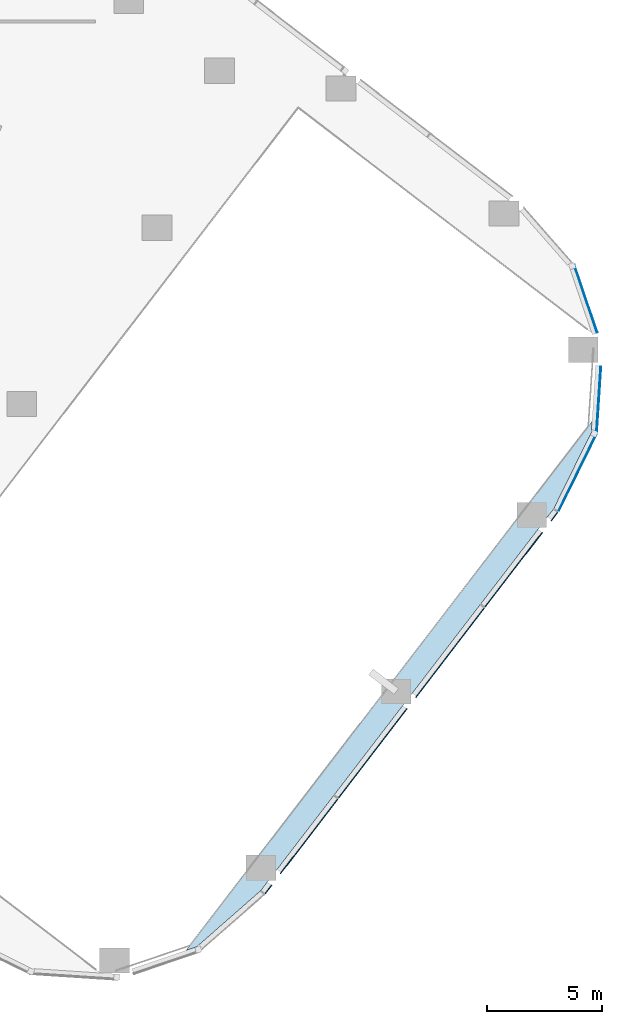
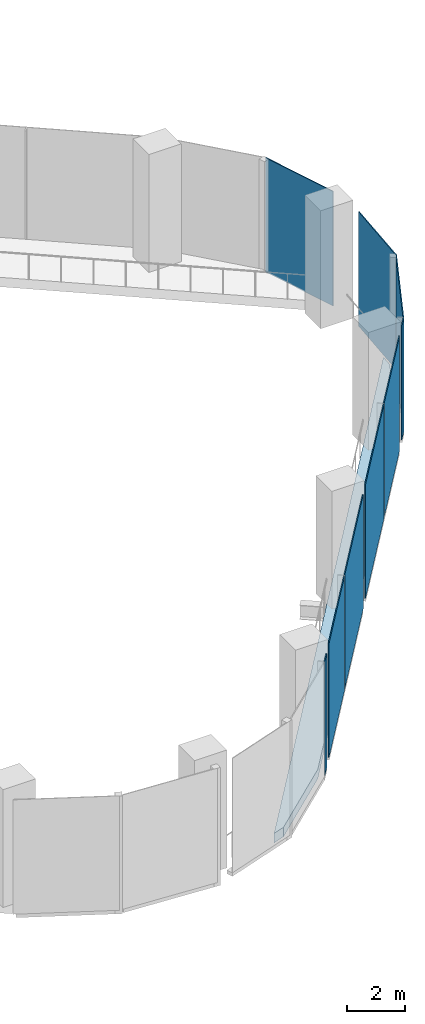
# One storey, part 18 of 29: 9 plates, 1 slab, 4 elements without a shape of their own.
"""IFC4 building model written with IfcOpenShell, lengths in metres."""

from ifc_helpers import new_model, si_unit, direction, frame, origin, origin_2d, place, context, subcontext, project, spatial, polyline, rectangle, outline, extrude, material, layer, layer_set, type_object, element, aggregate, save


model = new_model("IFC4")

# Units and contexts
model_context = context("Model", 3, precision=1e-05, world=origin(), true_north=direction((0.0, 1.0)))
body_context = subcontext(model_context, "Body", "Model", "MODEL_VIEW")
ifc_project = project(units=[si_unit("LENGTHUNIT", "METRE"), si_unit("AREAUNIT", "SQUARE_METRE"), si_unit("VOLUMEUNIT", "CUBIC_METRE"), si_unit("PLANEANGLEUNIT", "RADIAN"), si_unit("MASSUNIT", "GRAM", prefix="KILO")], contexts=[model_context])

# Site, building, storey
site_placement = place(None, origin())
site = spatial("IfcSite", under=ifc_project, at=site_placement, CompositionType="ELEMENT")
building_placement = place(site_placement, origin())
building = spatial("IfcBuilding", under=site, at=building_placement, Name="Orlundy Tower", CompositionType="ELEMENT")
storey_placement = place(building_placement, frame((0.0, 0.0, 15.5)))
storey = spatial("IfcBuildingStorey", under=building, at=storey_placement, Name="L02", CompositionType="ELEMENT", Elevation=15.5)

# Curtain wall, plate
ifc_material_1 = material(Name="Aluminium bronze anodised", Category="aluminium")
curtain_wall_type = type_object("IfcCurtainWallType", Name="CW2 wall", PredefinedType="NOTDEFINED", material=ifc_material_1)
curtain_wall_1_placement = place(storey_placement, origin())
curtain_wall_1 = element("IfcCurtainWall", 1, at=curtain_wall_1_placement, inside=storey, type_object=curtain_wall_type, Name="CW2 run 020", PredefinedType="NOTDEFINED")
ifc_material_2 = material(Name="Tinted glass", Category="glass")
ifc_layer_1 = layer(ifc_material_2, 0.0380859375)
ifc_layer_set_1 = layer_set([ifc_layer_1], Name="CW2 glass panel 38")
plate_type_1 = type_object("IfcPlateType", Name="CW2 glass panel 38", PredefinedType="CURTAIN_PANEL", material=ifc_layer_set_1)
plate_1_placement = place(storey_placement, frame((55.785888671875, -19.3271484375, -0.25), z_axis=(0.0, 0.0, 1.0), x_axis=(0.321564171921, -0.946887788144, 0.0)))
plate_1 = element("IfcPlate", 2, at=plate_1_placement, type_object=plate_type_1, Name="CW2 panel", PredefinedType="CURTAIN_PANEL", context=body_context, shape_type="SweptSolid", body=[
    extrude(rectangle(XDim=3.12158203125, YDim=0.0380859375, at=origin_2d()), origin(), (0.0, 0.0, 1.0), 4.85009765625),
])
aggregate(curtain_wall_1, [plate_1])

curtain_wall_2_placement = place(storey_placement, origin())
curtain_wall_2 = element("IfcCurtainWall", 3, at=curtain_wall_2_placement, inside=storey, type_object=curtain_wall_type, Name="CW2 run 021", PredefinedType="NOTDEFINED")
plate_2_placement = place(storey_placement, frame((56.352783203125, -23.7705078125, -0.25), z_axis=(0.0, 0.0, 1.0), x_axis=(-0.065569783834, -0.997847986142, 0.0)))
plate_2 = element("IfcPlate", 4, at=plate_2_placement, type_object=plate_type_1, Name="CW2 panel", PredefinedType="CURTAIN_PANEL", context=body_context, shape_type="SweptSolid", body=[
    extrude(rectangle(XDim=2.937255859375, YDim=0.0380859375, at=origin_2d()), origin(), (0.0, 0.0, 1.0), 4.85009765625),
])
aggregate(curtain_wall_2, [plate_2])

curtain_wall_3_placement = place(storey_placement, origin())
curtain_wall_3 = element("IfcCurtainWall", 5, at=curtain_wall_3_placement, inside=storey, type_object=curtain_wall_type, Name="CW2 run 022", PredefinedType="NOTDEFINED")
plate_3_placement = place(storey_placement, frame((55.42724609375, -26.91796875, -0.25), z_axis=(0.0, 0.0, 1.0), x_axis=(-0.442134938063, -0.896948547323, 0.0)))
plate_3 = element("IfcPlate", 6, at=plate_3_placement, type_object=plate_type_1, Name="CW2 panel", PredefinedType="CURTAIN_PANEL", context=body_context, shape_type="SweptSolid", body=[
    extrude(rectangle(XDim=3.75048828125, YDim=0.0380859375, at=origin_2d()), origin(), (0.0, 0.0, 1.0), 4.85009765625),
])
aggregate(curtain_wall_3, [plate_3])

# Curtain wall, plates
curtain_wall_4_placement = place(storey_placement, origin())
curtain_wall_4 = element("IfcCurtainWall", 7, at=curtain_wall_4_placement, inside=storey, type_object=curtain_wall_type, Name="CW2 run 023", PredefinedType="NOTDEFINED")
ifc_material_3 = material(Name="Bronze aluminium spandrel", Category="aluminium")
ifc_layer_2 = layer(ifc_material_3, 0.0380859375)
ifc_layer_set_2 = layer_set([ifc_layer_2], Name="CW2 spandrel panel 38")
plate_type_2 = type_object("IfcPlateType", Name="CW2 spandrel panel 38", PredefinedType="CURTAIN_PANEL", material=ifc_layer_set_2)
plate_4_placement = place(storey_placement, frame((54.42431640625, -28.834716796875, -0.25), z_axis=(0.0, 0.0, 1.0), x_axis=(-0.60877139118, -0.793345695949, 0.0)))
plate_4 = element("IfcPlate", 8, at=plate_4_placement, type_object=plate_type_2, Name="CW2 panel", PredefinedType="CURTAIN_PANEL", context=body_context, shape_type="SweptSolid", body=[
    extrude(rectangle(XDim=0.484375, YDim=0.0380859375, at=origin_2d()), origin(), (0.0, 0.0, 1.0), 4.85009765625),
])
plate_5_placement = place(storey_placement, frame((52.645751953125, -31.15234375, -0.25), z_axis=(0.0, 0.0, 1.0), x_axis=(-0.60877139118, -0.793345695949, 0.0)))
plate_5 = element("IfcPlate", 9, at=plate_5_placement, type_object=plate_type_2, Name="CW2 panel", PredefinedType="CURTAIN_PANEL", context=body_context, shape_type="SweptSolid", body=[
    extrude(rectangle(XDim=4.11767578125, YDim=0.0380859375, at=origin_2d()), origin(), (0.0, 0.0, 1.0), 4.85009765625),
])
plate_6_placement = place(storey_placement, frame((49.866943359375, -34.773681640625, -0.25), z_axis=(0.0, 0.0, 1.0), x_axis=(-0.60877139118, -0.793345695949, 0.0)))
plate_6 = element("IfcPlate", 10, at=plate_6_placement, type_object=plate_type_2, Name="CW2 panel", PredefinedType="CURTAIN_PANEL", context=body_context, shape_type="SweptSolid", body=[
    extrude(rectangle(XDim=4.91162109375, YDim=0.0380859375, at=origin_2d()), origin(), (0.0, 0.0, 1.0), 4.85009765625),
])
plate_7_placement = place(storey_placement, frame((46.4970703125, -39.165283203125, -0.25), z_axis=(0.0, 0.0, 1.0), x_axis=(-0.60877139118, -0.793345695949, 0.0)))
plate_7 = element("IfcPlate", 11, at=plate_7_placement, type_object=plate_type_2, Name="CW2 panel", PredefinedType="CURTAIN_PANEL", context=body_context, shape_type="SweptSolid", body=[
    extrude(rectangle(XDim=4.9169921875, YDim=0.0380859375, at=origin_2d()), origin(), (0.0, 0.0, 1.0), 4.85009765625),
])
plate_8_placement = place(storey_placement, frame((43.718505859375, -42.786376953125, -0.25), z_axis=(0.0, 0.0, 1.0), x_axis=(-0.60877139118, -0.793345695949, 0.0)))
plate_8 = element("IfcPlate", 12, at=plate_8_placement, type_object=plate_type_2, Name="CW2 panel", PredefinedType="CURTAIN_PANEL", context=body_context, shape_type="SweptSolid", body=[
    extrude(rectangle(XDim=4.111572265625, YDim=0.0380859375, at=origin_2d()), origin(), (0.0, 0.0, 1.0), 4.85009765625),
])
plate_9_placement = place(storey_placement, frame((41.93994140625, -45.1044921875, -0.25), z_axis=(0.0, 0.0, 1.0), x_axis=(-0.60877139118, -0.793345695949, 0.0)))
plate_9 = element("IfcPlate", 13, at=plate_9_placement, type_object=plate_type_2, Name="CW2 panel", PredefinedType="CURTAIN_PANEL", context=body_context, shape_type="SweptSolid", body=[
    extrude(rectangle(XDim=0.489990234375, YDim=0.0380859375, at=origin_2d()), origin(), (0.0, 0.0, 1.0), 4.85009765625),
])
aggregate(curtain_wall_4, [plate_4, plate_5, plate_6, plate_7, plate_8, plate_9])

# Slab
ifc_material_4 = material(Name="Concrete C45/55", Category="concrete")
ifc_layer_3 = layer(ifc_material_4, 0.39990234375)
ifc_layer_set_3 = layer_set([ifc_layer_3], Name="PODIUM FLOOR SLAB THICK 400 C45/55")
slab_type = type_object("IfcSlabType", Name="PODIUM FLOOR SLAB THICK 400 C45/55", PredefinedType="FLOOR", material=ifc_layer_set_3)
slab_placement = place(storey_placement, frame((0.0, 0.0, -0.39990234375)))
element("IfcSlab", 14, at=slab_placement, inside=storey, type_object=slab_type, Name="Floor slab L02", PredefinedType="FLOOR", context=body_context, shape_type="SweptSolid", body=[
    extrude(outline(polyline([(56.029052734375, -25.175048828125), (54.389892578125, -28.5), (41.60595703125, -45.159912109375), (38.819091796875, -47.60400390625), (38.346923828125, -47.763916015625), (56.06201171875, -24.678955078125), (56.029052734375, -25.175048828125)])), origin(), (0.0, 0.0, 1.0), 0.39990234375),
])

save(model, "model.ifc")
